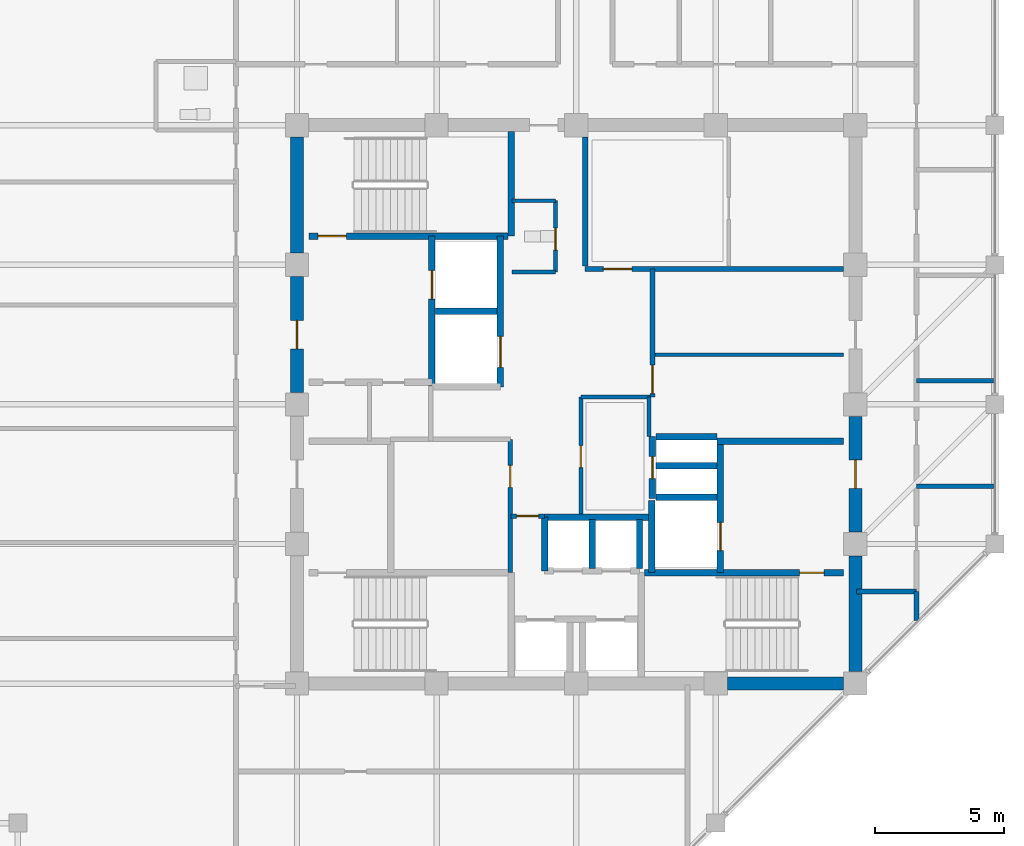
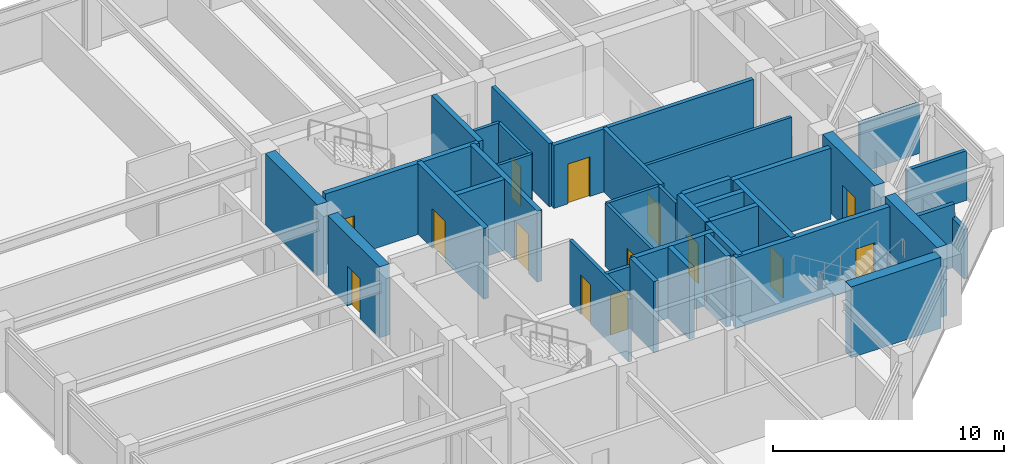
# One storey, part 27 of 31: 38 walls, 14 doors, 14 openings.
"""IFC4 building model written with IfcOpenShell, lengths in metres."""

from ifc_helpers import new_model, si_unit, direction, frame, frame_2d, origin, place, context, subcontext, project, spatial, rectangle, extrude, material, layer, layer_set, type_object, element, fill, save


model = new_model("IFC4")

# Units and contexts
model_context = context("Model", 3, precision=1e-05, world=origin(), true_north=direction((0.0, 1.0)))
body_context = subcontext(model_context, "Body", "Model", "MODEL_VIEW")
ifc_project = project(units=[si_unit("LENGTHUNIT", "METRE"), si_unit("AREAUNIT", "SQUARE_METRE"), si_unit("VOLUMEUNIT", "CUBIC_METRE"), si_unit("PLANEANGLEUNIT", "RADIAN"), si_unit("MASSUNIT", "GRAM", prefix="KILO")], contexts=[model_context])

# Site, building, storey
site_placement = place(None, origin())
site = spatial("IfcSite", under=ifc_project, at=site_placement, CompositionType="ELEMENT")
building_placement = place(site_placement, origin())
building = spatial("IfcBuilding", under=site, at=building_placement, Name="Surkhivell Harbour Commons", CompositionType="ELEMENT")
storey_placement = place(building_placement, frame((0.0, 0.0, 333.75)))
storey = spatial("IfcBuildingStorey", under=building, at=storey_placement, Name="L87", CompositionType="ELEMENT", Elevation=333.75)

# Wall
ifc_material_1 = material(Name="Concrete C50/60", Category="concrete")
ifc_layer_1 = layer(ifc_material_1, 0.5)
ifc_layer_set_1 = layer_set([ifc_layer_1], Name="Concrete C50/60")
wall_type_1 = type_object("IfcWallType", Name="WAL-CORE-500", PredefinedType="SHEAR", material=ifc_layer_set_1)
wall_1_placement = place(storey_placement, frame((10.800048828125, -10.340087890625, 0.0), z_axis=(0.0, 0.0, 1.0), x_axis=(0.0, 1.0, 0.0)))
element("IfcWall", 1, at=wall_1_placement, inside=storey, type_object=wall_type_1, Name="L87 Core Shear Wall East 1", PredefinedType="SHEAR", context=body_context, shape_type="SweptSolid", body=[
    extrude(rectangle(XDim=4.47998046875, YDim=0.5, at=frame_2d((2.239990234375, 0.0))), origin(), (0.0, 0.0, 1.0), 3.75),
])

# Wall, opening, door
wall_2_placement = place(storey_placement, frame((10.800048828125, -4.93994140625, 0.0), z_axis=(0.0, 0.0, 1.0), x_axis=(0.0, 1.0, 0.0)))
wall_2 = element("IfcWall", 2, at=wall_2_placement, inside=storey, type_object=wall_type_1, Name="L87 Core Shear Wall East 2", PredefinedType="SHEAR", context=body_context, shape_type="SweptSolid", body=[
    extrude(rectangle(XDim=4.47998046875, YDim=0.5, at=frame_2d((2.239990234375, 0.0))), origin(), (0.0, 0.0, 1.0), 3.75),
])
opening_1_placement = place(wall_2_placement, frame((1.68994140625, 0.0, 0.0)))
opening_1 = element("IfcOpeningElement", 3, at=opening_1_placement, cuts=wall_2, Name="Opening ID-1", PredefinedType="OPENING", context=body_context, shape_type="SweptSolid", body=[
    extrude(rectangle(XDim=1.10009765625, YDim=2.10009765625, at=frame_2d((0.550048828125, 1.050048828125))), frame((0.0, 0.260009765625, 0.0), z_axis=(0.0, -1.0, 0.0), x_axis=(1.0, 0.0, 0.0)), (0.0, 0.0, 1.0), 0.52001953125),
])
ifc_material_2 = material(Name="Hardwood-veneered fire-rated door leaf", Category="wood")
door_type_1 = type_object("IfcDoorType", Name="DOR-FD120-1100", OperationType="NOTDEFINED", PredefinedType="DOOR", material=ifc_material_2)
door_1_placement = place(opening_1_placement, origin())
door_1 = element("IfcDoor", 4, at=door_1_placement, inside=storey, type_object=door_type_1, Name="L87 Firefighting Lobby 2 Corridor Door", OperationType="SINGLE_SWING_RIGHT", OverallHeight=2.10009765625, OverallWidth=1.10009765625, PredefinedType="DOOR", context=body_context, shape_type="SweptSolid", body=[
    extrude(rectangle(XDim=1.10009765625, YDim=2.10009765625, at=frame_2d((0.550048828125, 1.050048828125))), frame((0.0, 0.02490234375, 0.0), z_axis=(0.0, -1.0, 0.0), x_axis=(1.0, 0.0, 0.0)), (0.0, 0.0, 1.0), 0.050048828125),
])
fill(opening_1, door_1)

wall_3_placement = place(storey_placement, frame((-10.800048828125, 0.4599609375, 0.0), z_axis=(0.0, 0.0, 1.0), x_axis=(0.0, 1.0, 0.0)))
wall_3 = element("IfcWall", 5, at=wall_3_placement, inside=storey, type_object=wall_type_1, Name="L87 Core Shear Wall West 3", PredefinedType="SHEAR", context=body_context, shape_type="SweptSolid", body=[
    extrude(rectangle(XDim=4.47998046875, YDim=0.5, at=frame_2d((2.239990234375, 0.0))), origin(), (0.0, 0.0, 1.0), 3.75),
])
opening_2_placement = place(wall_3_placement, frame((1.68994140625, 0.0, 0.0)))
opening_2 = element("IfcOpeningElement", 6, at=opening_2_placement, cuts=wall_3, Name="Opening ID-1", PredefinedType="OPENING", context=body_context, shape_type="SweptSolid", body=[
    extrude(rectangle(XDim=1.10009765625, YDim=2.10009765625, at=frame_2d((0.550048828125, 1.050048828125))), frame((0.0, 0.260009765625, 0.0), z_axis=(0.0, -1.0, 0.0), x_axis=(1.0, 0.0, 0.0)), (0.0, 0.0, 1.0), 0.52001953125),
])
door_2_placement = place(opening_2_placement, origin())
door_2 = element("IfcDoor", 7, at=door_2_placement, inside=storey, type_object=door_type_1, Name="L87 Firefighting Lobby 1 Corridor Door", OperationType="SINGLE_SWING_LEFT", OverallHeight=2.10009765625, OverallWidth=1.10009765625, PredefinedType="DOOR", context=body_context, shape_type="SweptSolid", body=[
    extrude(rectangle(XDim=1.10009765625, YDim=2.10009765625, at=frame_2d((0.550048828125, 1.050048828125))), frame((0.0, 0.02490234375, 0.0), z_axis=(0.0, -1.0, 0.0), x_axis=(1.0, 0.0, 0.0)), (0.0, 0.0, 1.0), 0.050048828125),
])
fill(opening_2, door_2)

# Walls
for number, where, z_axis, x_axis, name in (
    (8, (5.860107421875, -10.800048828125, 0.0), (0.0, 0.0, 1.0), (1.0, 0.0, 0.0), "L87 Core Shear Wall South 4"),
    (9, (-10.800048828125, 5.860107421875, 0.0), (0.0, 0.0, 1.0), (0.0, 1.0, 0.0), "L87 Core Shear Wall West 4"),
):
    element("IfcWall", number, at=place(storey_placement, frame(where, z_axis=z_axis, x_axis=x_axis)), inside=storey, type_object=wall_type_1, Name=name, PredefinedType="SHEAR", context=body_context, shape_type="SweptSolid", body=[
        extrude(rectangle(XDim=4.47998046875, YDim=0.5, at=frame_2d((2.239990234375, 0.0))), origin(), (0.0, 0.0, 1.0), 3.75),
    ])

# Wall, opening, door
ifc_material_3 = material(Name="Twin-stud acoustic fireboard partition", Category="other")
ifc_layer_2 = layer(ifc_material_3, 0.14990234375)
ifc_layer_set_2 = layer_set([ifc_layer_2], Name="Twin-stud acoustic fireboard partition")
wall_type_2 = type_object("IfcWallType", Name="WAL-INT-150", PredefinedType="PARTITIONING", material=ifc_layer_set_2)
wall_4_placement = place(storey_placement, frame((-0.800048828125, 5.1201171875, 0.0), z_axis=(0.0, 0.0, 1.0), x_axis=(0.0, 1.0, 0.0)))
wall_4 = element("IfcWall", 10, at=wall_4_placement, inside=storey, type_object=wall_type_2, Name="L87 Core Accessible WC East Wall", PredefinedType="PARTITIONING", context=body_context, shape_type="SweptSolid", body=[
    extrude(rectangle(XDim=2.759765625, YDim=0.14990234375, at=frame_2d((1.3798828125, 0.0))), origin(), (0.0, 0.0, 1.0), 3.330078125),
])
opening_3_placement = place(wall_4_placement, frame((0.85009765625, 0.0, 0.0)))
opening_3 = element("IfcOpeningElement", 11, at=opening_3_placement, cuts=wall_4, Name="Opening ID-6", PredefinedType="OPENING", context=body_context, shape_type="SweptSolid", body=[
    extrude(rectangle(XDim=0.85009765625, YDim=2.10009765625, at=frame_2d((0.425048828125, 1.050048828125))), frame((0.0, 0.0849609375, 0.0), z_axis=(0.0, -1.0, 0.0), x_axis=(1.0, 0.0, 0.0)), (0.0, 0.0, 1.0), 0.169921875),
])
door_type_2 = type_object("IfcDoorType", Name="DOR-FD30-850", OperationType="NOTDEFINED", PredefinedType="DOOR", material=ifc_material_2)
door_3_placement = place(opening_3_placement, origin())
door_3 = element("IfcDoor", 12, at=door_3_placement, inside=storey, type_object=door_type_2, Name="L87 Floor Accessible WC Door", OperationType="SINGLE_SWING_LEFT", OverallHeight=2.10009765625, OverallWidth=0.85009765625, PredefinedType="DOOR", context=body_context, shape_type="SweptSolid", body=[
    extrude(rectangle(XDim=0.85009765625, YDim=2.10009765625, at=frame_2d((0.425048828125, 1.050048828125))), frame((0.0, 0.02490234375, 0.0), z_axis=(0.0, -1.0, 0.0), x_axis=(1.0, 0.0, 0.0)), (0.0, 0.0, 1.0), 0.050048828125),
])
fill(opening_3, door_3)

# Walls
for number, where, z_axis, x_axis, name in (
    (13, (-2.47998046875, 7.8798828125, 0.0), (0.0, 0.0, 1.0), (1.0, 0.0, 0.0), "L87 Core Accessible WC North Wall"),
    (14, (-2.47998046875, 5.1201171875, 0.0), (0.0, 0.0, 1.0), (1.0, 0.0, 0.0), "L87 Core Accessible WC South Wall"),
):
    element("IfcWall", number, at=place(storey_placement, frame(where, z_axis=z_axis, x_axis=x_axis)), inside=storey, type_object=wall_type_2, Name=name, PredefinedType="PARTITIONING", context=body_context, shape_type="SweptSolid", body=[
        extrude(rectangle(XDim=1.679931640625, YDim=0.14990234375, at=frame_2d((0.83984375, 0.0))), origin(), (0.0, 0.0, 1.0), 3.330078125),
    ])
wall_5_placement = place(storey_placement, frame((2.820068359375, -1.25, 0.0), z_axis=(0.0, 0.0, 1.0), x_axis=(0.0, 1.0, 0.0)))
element("IfcWall", 15, at=wall_5_placement, inside=storey, type_object=wall_type_2, Name="L87 Central Music East Wall", PredefinedType="PARTITIONING", context=body_context, shape_type="SweptSolid", body=[
    extrude(rectangle(XDim=1.530029296875, YDim=0.14990234375, at=frame_2d((0.76513671875, 0.0))), origin(), (0.0, 0.0, 1.0), 3.330078125),
])
wall_6_placement = place(storey_placement, frame((0.179931640625, 0.280029296875, 0.0), z_axis=(0.0, 0.0, 1.0), x_axis=(1.0, 0.0, 0.0)))
element("IfcWall", 16, at=wall_6_placement, inside=storey, type_object=wall_type_2, Name="L87 Central Music North Wall", PredefinedType="PARTITIONING", context=body_context, shape_type="SweptSolid", body=[
    extrude(rectangle(XDim=2.670166015625, YDim=0.14990234375, at=frame_2d((1.3349609375, 0.0))), origin(), (0.0, 0.0, 1.0), 3.330078125),
])

# Wall, opening, door
wall_7_placement = place(storey_placement, frame((0.179931640625, -4.25, 0.0), z_axis=(0.0, 0.0, 1.0), x_axis=(0.0, 1.0, 0.0)))
wall_7 = element("IfcWall", 17, at=wall_7_placement, inside=storey, type_object=wall_type_2, Name="L87 Central Music West Wall", PredefinedType="PARTITIONING", context=body_context, shape_type="SweptSolid", body=[
    extrude(rectangle(XDim=4.530029296875, YDim=0.14990234375, at=frame_2d((2.26513671875, 0.0))), origin(), (0.0, 0.0, 1.0), 3.330078125),
])
opening_4_placement = place(wall_7_placement, frame((1.800048828125, 0.0, 0.0)))
opening_4 = element("IfcOpeningElement", 18, at=opening_4_placement, cuts=wall_7, Name="Opening ID-6", PredefinedType="OPENING", context=body_context, shape_type="SweptSolid", body=[
    extrude(rectangle(XDim=0.85009765625, YDim=2.10009765625, at=frame_2d((0.425048828125, 1.050048828125))), frame((0.0, 0.0849609375, 0.0), z_axis=(0.0, -1.0, 0.0), x_axis=(1.0, 0.0, 0.0)), (0.0, 0.0, 1.0), 0.169921875),
])
door_4_placement = place(opening_4_placement, origin())
door_4 = element("IfcDoor", 19, at=door_4_placement, inside=storey, type_object=door_type_2, Name="L87 Central Music Door", OperationType="SINGLE_SWING_RIGHT", OverallHeight=2.10009765625, OverallWidth=0.85009765625, PredefinedType="DOOR", context=body_context, shape_type="SweptSolid", body=[
    extrude(rectangle(XDim=0.85009765625, YDim=2.10009765625, at=frame_2d((0.425048828125, 1.050048828125))), frame((0.0, 0.02490234375, 0.0), z_axis=(0.0, -1.0, 0.0), x_axis=(1.0, 0.0, 0.0)), (0.0, 0.0, 1.0), 0.050048828125),
])
fill(opening_4, door_4)

# Wall
wall_8_placement = place(storey_placement, frame((2.949951171875, 1.919921875, 0.0), z_axis=(0.0, 0.0, 1.0), x_axis=(1.0, 0.0, 0.0)))
element("IfcWall", 20, at=wall_8_placement, inside=storey, type_object=wall_type_2, Name="L87 Quiet Study Wall", PredefinedType="PARTITIONING", context=body_context, shape_type="SweptSolid", body=[
    extrude(rectangle(XDim=7.39013671875, YDim=0.14990234375, at=frame_2d((3.695068359375, 0.0))), origin(), (0.0, 0.0, 1.0), 3.330078125),
])

# Wall, opening, door
ifc_material_4 = material(Name="High-density acoustic blockwork fire partition", Category="masonry")
ifc_layer_3 = layer(ifc_material_4, 0.175048828125)
ifc_layer_set_3 = layer_set([ifc_layer_3], Name="High-density acoustic blockwork fire partition")
wall_type_3 = type_object("IfcWallType", Name="WAL-INT-175", PredefinedType="PARTITIONING", material=ifc_layer_set_3)
wall_9_placement = place(storey_placement, frame((-2.550048828125, -6.510009765625, 0.0), z_axis=(0.0, 0.0, 1.0), x_axis=(0.0, 1.0, 0.0)))
wall_9 = element("IfcWall", 21, at=wall_9_placement, inside=storey, type_object=wall_type_3, Name="L87 Core Service Bay East Wall", PredefinedType="PARTITIONING", context=body_context, shape_type="SweptSolid", body=[
    extrude(rectangle(XDim=5.159912109375, YDim=0.175048828125, at=frame_2d((2.580078125, 0.0))), origin(), (0.0, 0.0, 1.0), 3.330078125),
])
opening_5_placement = place(wall_9_placement, frame((3.300048828125, 0.0, 0.0)))
opening_5 = element("IfcOpeningElement", 22, at=opening_5_placement, cuts=wall_9, Name="Opening ID-6", PredefinedType="OPENING", context=body_context, shape_type="SweptSolid", body=[
    extrude(rectangle(XDim=0.85009765625, YDim=2.10009765625, at=frame_2d((0.425048828125, 1.050048828125))), frame((0.0, 0.097412109375, 0.0), z_axis=(0.0, -1.0, 0.0), x_axis=(1.0, 0.0, 0.0)), (0.0, 0.0, 1.0), 0.195068359375),
])
door_5_placement = place(opening_5_placement, origin())
door_5 = element("IfcDoor", 23, at=door_5_placement, inside=storey, type_object=door_type_2, Name="L87 Core Quiet Reading Door", OperationType="SINGLE_SWING_RIGHT", OverallHeight=2.10009765625, OverallWidth=0.85009765625, PredefinedType="DOOR", context=body_context, shape_type="SweptSolid", body=[
    extrude(rectangle(XDim=0.85009765625, YDim=2.10009765625, at=frame_2d((0.425048828125, 1.050048828125))), frame((0.0, 0.02490234375, 0.0), z_axis=(0.0, -1.0, 0.0), x_axis=(1.0, 0.0, 0.0)), (0.0, 0.0, 1.0), 0.050048828125),
])
fill(opening_5, door_5)

wall_10_placement = place(storey_placement, frame((-2.52001953125, -4.320068359375, 0.0), z_axis=(0.0, 0.0, 1.0), x_axis=(1.0, 0.0, 0.0)))
wall_10 = element("IfcWall", 24, at=wall_10_placement, inside=storey, type_object=wall_type_3, Name="L87 High-Rise Lobby North Portal Wall", PredefinedType="PARTITIONING", context=body_context, shape_type="SweptSolid", body=[
    extrude(rectangle(XDim=1.300048828125, YDim=0.175048828125, at=frame_2d((0.64990234375, 0.0))), origin(), (0.0, 0.0, 1.0), 3.330078125),
])
opening_6_placement = place(wall_10_placement, frame((0.219970703125, 0.0, 0.0)))
opening_6 = element("IfcOpeningElement", 25, at=opening_6_placement, cuts=wall_10, Name="Opening ID-6", PredefinedType="OPENING", context=body_context, shape_type="SweptSolid", body=[
    extrude(rectangle(XDim=0.85009765625, YDim=2.10009765625, at=frame_2d((0.425048828125, 1.050048828125))), frame((0.0, 0.097412109375, 0.0), z_axis=(0.0, -1.0, 0.0), x_axis=(1.0, 0.0, 0.0)), (0.0, 0.0, 1.0), 0.195068359375),
])
door_6_placement = place(opening_6_placement, origin())
door_6 = element("IfcDoor", 26, at=door_6_placement, inside=storey, type_object=door_type_2, Name="L87 High-Rise Lift Lobby North Door", OperationType="SINGLE_SWING_LEFT", OverallHeight=2.10009765625, OverallWidth=0.85009765625, PredefinedType="DOOR", context=body_context, shape_type="SweptSolid", body=[
    extrude(rectangle(XDim=0.85009765625, YDim=2.10009765625, at=frame_2d((0.425048828125, 1.050048828125))), frame((0.0, 0.02490234375, 0.0), z_axis=(0.0, -1.0, 0.0), x_axis=(1.0, 0.0, 0.0)), (0.0, 0.0, 1.0), 0.050048828125),
])
fill(opening_6, door_6)

# Walls
for number, where, z_axis, x_axis, name in (
    (27, (13.159912109375, -3.159912109375, 0.0), (0.0, 0.0, 1.0), (1.0, 0.0, 0.0), "L87 East Partition P1"),
    (28, (13.159912109375, 0.919921875, 0.0), (0.0, 0.0, 1.0), (1.0, 0.0, 0.0), "L87 East Partition P2"),
):
    element("IfcWall", number, at=place(storey_placement, frame(where, z_axis=z_axis, x_axis=x_axis)), inside=storey, type_object=wall_type_3, Name=name, PredefinedType="PARTITIONING", context=body_context, shape_type="SweptSolid", body=[
        extrude(rectangle(XDim=2.97998046875, YDim=0.175048828125, at=frame_2d((1.489990234375, 0.0))), origin(), (0.0, 0.0, 1.0), 2.616943359375),
    ])

# Wall, opening, door
ifc_material_5 = material(Name="Autoclaved aerated concrete blockwork and fire plaster", Category="masonry")
ifc_layer_4 = layer(ifc_material_5, 0.199951171875)
ifc_layer_set_4 = layer_set([ifc_layer_4], Name="Autoclaved aerated concrete blockwork and fire plaster")
wall_type_4 = type_object("IfcWallType", Name="WAL-INT-200", PredefinedType="PARTITIONING", material=ifc_layer_set_4)
wall_11_placement = place(storey_placement, frame((0.35009765625, 5.239990234375, 0.0), z_axis=(0.0, 0.0, 1.0), x_axis=(1.0, 0.0, 0.0)))
wall_11 = element("IfcWall", 29, at=wall_11_placement, inside=storey, type_object=wall_type_4, Name="L87 Reclaimed Core North Bay South Wall", PredefinedType="PARTITIONING", context=body_context, shape_type="SweptSolid", body=[
    extrude(rectangle(XDim=9.989990234375, YDim=0.199951171875, at=frame_2d((4.9951171875, 0.0))), origin(), (0.0, 0.0, 1.0), 3.330078125),
])
opening_7_placement = place(wall_11_placement, frame((0.699951171875, 0.0, 0.0)))
opening_7 = element("IfcOpeningElement", 30, at=opening_7_placement, cuts=wall_11, Name="Opening ID-2", PredefinedType="OPENING", context=body_context, shape_type="SweptSolid", body=[
    extrude(rectangle(XDim=1.10009765625, YDim=2.10009765625, at=frame_2d((0.550048828125, 1.050048828125))), frame((0.0, 0.10986328125, 0.0), z_axis=(0.0, -1.0, 0.0), x_axis=(1.0, 0.0, 0.0)), (0.0, 0.0, 1.0), 0.219970703125),
])
door_type_3 = type_object("IfcDoorType", Name="DOR-FD60-1100", OperationType="NOTDEFINED", PredefinedType="DOOR", material=ifc_material_2)
door_7_placement = place(opening_7_placement, origin())
door_7 = element("IfcDoor", 31, at=door_7_placement, inside=storey, type_object=door_type_3, Name="L87 Core Seminar Door", OperationType="SINGLE_SWING_LEFT", OverallHeight=2.10009765625, OverallWidth=1.10009765625, PredefinedType="DOOR", context=body_context, shape_type="SweptSolid", body=[
    extrude(rectangle(XDim=1.10009765625, YDim=2.10009765625, at=frame_2d((0.550048828125, 1.050048828125))), frame((0.0, 0.02490234375, 0.0), z_axis=(0.0, -1.0, 0.0), x_axis=(1.0, 0.0, 0.0)), (0.0, 0.0, 1.0), 0.050048828125),
])
fill(opening_7, door_7)

# Walls
wall_12_placement = place(storey_placement, frame((0.35009765625, 5.360107421875, 0.0), z_axis=(0.0, 0.0, 1.0), x_axis=(0.0, 1.0, 0.0)))
element("IfcWall", 32, at=wall_12_placement, inside=storey, type_object=wall_type_4, Name="L87 Reclaimed Core North Bay West Wall", PredefinedType="PARTITIONING", context=body_context, shape_type="SweptSolid", body=[
    extrude(rectangle(XDim=4.97998046875, YDim=0.199951171875, at=frame_2d((2.489990234375, 0.0))), origin(), (0.0, 0.0, 1.0), 3.330078125),
])
wall_13_placement = place(storey_placement, frame((13.159912109375, -8.355224609375, 0.0), z_axis=(0.0, 0.0, 1.0), x_axis=(0.0, 1.0, 0.0)))
element("IfcWall", 33, at=wall_13_placement, inside=storey, type_object=wall_type_4, Name="L87 East Wing South Closure Wall", PredefinedType="PARTITIONING", context=body_context, shape_type="SweptSolid", body=[
    extrude(rectangle(XDim=1.115234375, YDim=0.199951171875, at=frame_2d((0.5576171875, 0.0))), origin(), (0.0, 0.0, 1.0), 2.616943359375),
])
wall_14_placement = place(storey_placement, frame((10.85009765625, -7.239990234375, 0.0), z_axis=(0.0, 0.0, 1.0), x_axis=(1.0, 0.0, 0.0)))
element("IfcWall", 34, at=wall_14_placement, inside=storey, type_object=wall_type_4, Name="L87 East Corridor South Closure Wall", PredefinedType="PARTITIONING", context=body_context, shape_type="SweptSolid", body=[
    extrude(rectangle(XDim=2.309814453125, YDim=0.199951171875, at=frame_2d((1.15478515625, 0.0))), origin(), (0.0, 0.0, 1.0), 3.330078125),
])

# Wall, opening, door
wall_15_placement = place(storey_placement, frame((2.949951171875, 0.280029296875, 0.0), z_axis=(0.0, 0.0, 1.0), x_axis=(0.0, 1.0, 0.0)))
wall_15 = element("IfcWall", 35, at=wall_15_placement, inside=storey, type_object=wall_type_4, Name="L87 Reclaimed East Core West Wall", PredefinedType="PARTITIONING", context=body_context, shape_type="SweptSolid", body=[
    extrude(rectangle(XDim=4.9599609375, YDim=0.199951171875, at=frame_2d((2.47998046875, 0.0))), origin(), (0.0, 0.0, 1.0), 3.330078125),
])
opening_8_placement = place(wall_15_placement, frame((0.139892578125, 0.0, 0.0)))
opening_8 = element("IfcOpeningElement", 36, at=opening_8_placement, cuts=wall_15, Name="Opening ID-2", PredefinedType="OPENING", context=body_context, shape_type="SweptSolid", body=[
    extrude(rectangle(XDim=1.10009765625, YDim=2.10009765625, at=frame_2d((0.550048828125, 1.050048828125))), frame((0.0, 0.10986328125, 0.0), z_axis=(0.0, -1.0, 0.0), x_axis=(1.0, 0.0, 0.0)), (0.0, 0.0, 1.0), 0.219970703125),
])
door_8_placement = place(opening_8_placement, origin())
door_8 = element("IfcDoor", 37, at=door_8_placement, inside=storey, type_object=door_type_3, Name="L87 Quiet Study A Door", OperationType="SINGLE_SWING_LEFT", OverallHeight=2.10009765625, OverallWidth=1.10009765625, PredefinedType="DOOR", context=body_context, shape_type="SweptSolid", body=[
    extrude(rectangle(XDim=1.10009765625, YDim=2.10009765625, at=frame_2d((0.550048828125, 1.050048828125))), frame((0.0, 0.02490234375, 0.0), z_axis=(0.0, -1.0, 0.0), x_axis=(1.0, 0.0, 0.0)), (0.0, 0.0, 1.0), 0.050048828125),
])
fill(opening_8, door_8)

ifc_layer_5 = layer(ifc_material_1, 0.25)
ifc_layer_set_5 = layer_set([ifc_layer_5], Name="Concrete C50/60")
wall_type_5 = type_object("IfcWallType", Name="WAL-SHAFT-250", PredefinedType="SHEAR", material=ifc_layer_set_5)
wall_16_placement = place(storey_placement, frame((-5.580078125, 0.719970703125, 0.0), z_axis=(0.0, 0.0, 1.0), x_axis=(0.0, 1.0, 0.0)))
wall_16 = element("IfcWall", 38, at=wall_16_placement, inside=storey, type_object=wall_type_5, Name="L87 Firefighting Lobby 1 East Shaft Wall", PredefinedType="SHEAR", context=body_context, shape_type="SweptSolid", body=[
    extrude(rectangle(XDim=5.7900390625, YDim=0.25, at=frame_2d((2.89501953125, 0.0))), origin(), (0.0, 0.0, 1.0), 3.75),
])
opening_9_placement = place(wall_16_placement, frame((3.35009765625, 0.0, 0.0)))
opening_9 = element("IfcOpeningElement", 39, at=opening_9_placement, cuts=wall_16, Name="Opening LD-1", PredefinedType="OPENING", context=body_context, shape_type="SweptSolid", body=[
    extrude(rectangle(XDim=1.10009765625, YDim=2.10009765625, at=frame_2d((0.550048828125, 1.050048828125))), frame((0.0, 0.135009765625, 0.0), z_axis=(0.0, -1.0, 0.0), x_axis=(1.0, 0.0, 0.0)), (0.0, 0.0, 1.0), 0.27001953125),
])
ifc_material_6 = material(Name="Brushed stainless steel S355", Category="steel")
door_type_4 = type_object("IfcDoorType", Name="DOR-LD-1100", OperationType="SLIDING_TO_LEFT", PredefinedType="DOOR", material=ifc_material_6)
door_9_placement = place(opening_9_placement, origin())
door_9 = element("IfcDoor", 40, at=door_9_placement, inside=storey, type_object=door_type_4, Name="L87 Lift Landing Door LD-FFL1", OperationType="SLIDING_TO_LEFT", OverallHeight=2.10009765625, OverallWidth=1.10009765625, PredefinedType="DOOR", context=body_context, shape_type="SweptSolid", body=[
    extrude(rectangle(XDim=1.10009765625, YDim=2.10009765625, at=frame_2d((0.550048828125, 1.050048828125))), frame((0.0, 0.02490234375, 0.0), z_axis=(0.0, -1.0, 0.0), x_axis=(1.0, 0.0, 0.0)), (0.0, 0.0, 1.0), 0.050048828125),
])
fill(opening_9, door_9)

# Walls
wall_17_placement = place(storey_placement, frame((2.929931640625, -6.510009765625, 0.0), z_axis=(0.0, 0.0, 1.0), x_axis=(0.0, 1.0, 0.0)))
element("IfcWall", 41, at=wall_17_placement, inside=storey, type_object=wall_type_5, Name="L87 FFL2 West Shaft Wall", PredefinedType="SHEAR", context=body_context, shape_type="SweptSolid", body=[
    extrude(rectangle(XDim=2.7900390625, YDim=0.25, at=frame_2d((1.39501953125, 0.0))), origin(), (0.0, 0.0, 1.0), 3.75),
])
wall_18_placement = place(storey_placement, frame((5.43994140625, -1.419921875, 0.0), z_axis=(0.0, 0.0, 1.0), x_axis=(1.0, 0.0, 0.0)))
element("IfcWall", 42, at=wall_18_placement, inside=storey, type_object=wall_type_5, Name="L87 Firefighting Lobby 2 North Wall", PredefinedType="SHEAR", context=body_context, shape_type="SweptSolid", body=[
    extrude(rectangle(XDim=4.900146484375, YDim=0.25, at=frame_2d((2.4501953125, 0.0))), origin(), (0.0, 0.0, 1.0), 3.75),
])
wall_19_placement = place(storey_placement, frame((3.080078125, -3.60009765625, 0.0), z_axis=(0.0, 0.0, 1.0), x_axis=(1.0, 0.0, 0.0)))
element("IfcWall", 43, at=wall_19_placement, inside=storey, type_object=wall_type_5, Name="L87 FFL2 North Shaft Wall", PredefinedType="SHEAR", context=body_context, shape_type="SweptSolid", body=[
    extrude(rectangle(XDim=2.369873046875, YDim=0.25, at=frame_2d((1.18505859375, 0.0))), origin(), (0.0, 0.0, 1.0), 3.75),
])

# Wall, opening, door
wall_20_placement = place(storey_placement, frame((5.580078125, -6.510009765625, 0.0), z_axis=(0.0, 0.0, 1.0), x_axis=(0.0, 1.0, 0.0)))
wall_20 = element("IfcWall", 44, at=wall_20_placement, inside=storey, type_object=wall_type_5, Name="L87 Firefighting Lobby 2 West Shaft Wall", PredefinedType="SHEAR", context=body_context, shape_type="SweptSolid", body=[
    extrude(rectangle(XDim=5.090087890625, YDim=0.25, at=frame_2d((2.544921875, 0.0))), origin(), (0.0, 0.0, 1.0), 3.75),
])
opening_10_placement = place(wall_20_placement, frame((0.85009765625, 0.0, 0.0)))
opening_10 = element("IfcOpeningElement", 45, at=opening_10_placement, cuts=wall_20, Name="Opening LD-1", PredefinedType="OPENING", context=body_context, shape_type="SweptSolid", body=[
    extrude(rectangle(XDim=1.10009765625, YDim=2.10009765625, at=frame_2d((0.550048828125, 1.050048828125))), frame((0.0, 0.135009765625, 0.0), z_axis=(0.0, -1.0, 0.0), x_axis=(1.0, 0.0, 0.0)), (0.0, 0.0, 1.0), 0.27001953125),
])
door_10_placement = place(opening_10_placement, origin())
door_10 = element("IfcDoor", 46, at=door_10_placement, inside=storey, type_object=door_type_4, Name="L87 Lift Landing Door LD-FFL2", OperationType="SLIDING_TO_RIGHT", OverallHeight=2.10009765625, OverallWidth=1.10009765625, PredefinedType="DOOR", context=body_context, shape_type="SweptSolid", body=[
    extrude(rectangle(XDim=1.10009765625, YDim=2.10009765625, at=frame_2d((0.550048828125, 1.050048828125))), frame((0.0, 0.02490234375, 0.0), z_axis=(0.0, -1.0, 0.0), x_axis=(1.0, 0.0, 0.0)), (0.0, 0.0, 1.0), 0.050048828125),
])
fill(opening_10, door_10)

# Walls
for number, where, z_axis, x_axis, name in (
    (47, (0.6201171875, -6.340087890625, 0.0), (0.0, 0.0, 1.0), (0.0, 1.0, 0.0), "L87 High-Rise Side Wall N"),
    (48, (2.449951171875, -6.340087890625, 0.0), (0.0, 0.0, 1.0), (0.0, 1.0, 0.0), "L87 High-Rise Side Wall N"),
):
    element("IfcWall", number, at=place(storey_placement, frame(where, z_axis=z_axis, x_axis=x_axis)), inside=storey, type_object=wall_type_5, Name=name, PredefinedType="SHEAR", context=body_context, shape_type="SweptSolid", body=[
        extrude(rectangle(XDim=1.880126953125, YDim=0.25, at=frame_2d((0.93994140625, 0.0))), origin(), (0.0, 0.0, 1.0), 3.75),
    ])
wall_21_placement = place(storey_placement, frame((-1.219970703125, -6.43994140625, 0.0), z_axis=(0.0, 0.0, 1.0), x_axis=(0.0, 1.0, 0.0)))
element("IfcWall", 49, at=wall_21_placement, inside=storey, type_object=wall_type_5, Name="L87 High-Rise Passage East Shaft Wall", PredefinedType="SHEAR", context=body_context, shape_type="SweptSolid", body=[
    extrude(rectangle(XDim=2.079833984375, YDim=0.25, at=frame_2d((1.0400390625, 0.0))), origin(), (0.0, 0.0, 1.0), 3.75),
])
wall_22_placement = place(storey_placement, frame((-1.219970703125, -4.360107421875, 0.0), z_axis=(0.0, 0.0, 1.0), x_axis=(1.0, 0.0, 0.0)))
element("IfcWall", 50, at=wall_22_placement, inside=storey, type_object=wall_type_5, Name="L87 High-Rise North Back Shaft Wall", PredefinedType="SHEAR", context=body_context, shape_type="SweptSolid", body=[
    extrude(rectangle(XDim=4.030029296875, YDim=0.25, at=frame_2d((2.01513671875, 0.0))), origin(), (0.0, 0.0, 1.0), 3.75),
])
for number, where, z_axis, x_axis, name in (
    (51, (3.080078125, -2.3798828125, 0.0), (0.0, 0.0, 1.0), (1.0, 0.0, 0.0), "L87 Riser Divider Wall"),
    (52, (3.080078125, -1.25, 0.0), (0.0, 0.0, 1.0), (1.0, 0.0, 0.0), "L87 Riser North Wall"),
):
    element("IfcWall", number, at=place(storey_placement, frame(where, z_axis=z_axis, x_axis=x_axis)), inside=storey, type_object=wall_type_5, Name=name, PredefinedType="SHEAR", context=body_context, shape_type="SweptSolid", body=[
        extrude(rectangle(XDim=2.369873046875, YDim=0.25, at=frame_2d((1.18505859375, 0.0))), origin(), (0.0, 0.0, 1.0), 3.75),
    ])

# Wall, opening, door
wall_23_placement = place(storey_placement, frame((2.949951171875, -3.64990234375, 0.0), z_axis=(0.0, 0.0, 1.0), x_axis=(0.0, 1.0, 0.0)))
wall_23 = element("IfcWall", 53, at=wall_23_placement, inside=storey, type_object=wall_type_5, Name="L87 Riser Shaft West Wall", PredefinedType="SHEAR", context=body_context, shape_type="SweptSolid", body=[
    extrude(rectangle(XDim=2.39990234375, YDim=0.25, at=frame_2d((1.199951171875, 0.0))), origin(), (0.0, 0.0, 1.0), 3.75),
])
opening_11_placement = place(wall_23_placement, frame((0.77490234375, 0.0, 0.0)))
opening_11 = element("IfcOpeningElement", 54, at=opening_11_placement, cuts=wall_23, Name="Opening ID-6", PredefinedType="OPENING", context=body_context, shape_type="SweptSolid", body=[
    extrude(rectangle(XDim=0.85009765625, YDim=2.10009765625, at=frame_2d((0.425048828125, 1.050048828125))), frame((0.0, 0.135009765625, 0.0), z_axis=(0.0, -1.0, 0.0), x_axis=(1.0, 0.0, 0.0)), (0.0, 0.0, 1.0), 0.27001953125),
])
door_11_placement = place(opening_11_placement, origin())
door_11 = element("IfcDoor", 55, at=door_11_placement, inside=storey, type_object=door_type_2, Name="L87 Electrical Riser Access Door", OperationType="SINGLE_SWING_LEFT", OverallHeight=2.10009765625, OverallWidth=0.85009765625, PredefinedType="DOOR", context=body_context, shape_type="SweptSolid", body=[
    extrude(rectangle(XDim=0.85009765625, YDim=2.10009765625, at=frame_2d((0.425048828125, 1.050048828125))), frame((0.0, 0.02490234375, 0.0), z_axis=(0.0, -1.0, 0.0), x_axis=(1.0, 0.0, 0.0)), (0.0, 0.0, 1.0), 0.050048828125),
])
fill(opening_11, door_11)

# Wall
wall_24_placement = place(storey_placement, frame((-2.510009765625, 6.510009765625, 0.0), z_axis=(0.0, 0.0, 1.0), x_axis=(0.0, 1.0, 0.0)))
element("IfcWall", 56, at=wall_24_placement, inside=storey, type_object=wall_type_5, Name="L87 Stair ST1 East Shear Wall", PredefinedType="SHEAR", context=body_context, shape_type="SweptSolid", body=[
    extrude(rectangle(XDim=4.0400390625, YDim=0.25, at=frame_2d((2.02001953125, 0.0))), origin(), (0.0, 0.0, 1.0), 3.75),
])

# Wall, opening, door
wall_25_placement = place(storey_placement, frame((-10.340087890625, 6.510009765625, 0.0), z_axis=(0.0, 0.0, 1.0), x_axis=(1.0, 0.0, 0.0)))
wall_25 = element("IfcWall", 57, at=wall_25_placement, inside=storey, type_object=wall_type_5, Name="L87 Stair ST1 South Shear Wall", PredefinedType="SHEAR", context=body_context, shape_type="SweptSolid", body=[
    extrude(rectangle(XDim=7.7001953125, YDim=0.25, at=frame_2d((3.85009765625, 0.0))), origin(), (0.0, 0.0, 1.0), 3.75),
])
opening_12_placement = place(wall_25_placement, frame((0.35009765625, 0.0, 0.0)))
opening_12 = element("IfcOpeningElement", 58, at=opening_12_placement, cuts=wall_25, Name="Opening ID-2", PredefinedType="OPENING", context=body_context, shape_type="SweptSolid", body=[
    extrude(rectangle(XDim=1.10009765625, YDim=2.10009765625, at=frame_2d((0.550048828125, 1.050048828125))), frame((0.0, 0.135009765625, 0.0), z_axis=(0.0, -1.0, 0.0), x_axis=(1.0, 0.0, 0.0)), (0.0, 0.0, 1.0), 0.27001953125),
])
door_12_placement = place(opening_12_placement, origin())
door_12 = element("IfcDoor", 59, at=door_12_placement, inside=storey, type_object=door_type_3, Name="L87 Stair ST1 Exit Door", OperationType="SINGLE_SWING_LEFT", OverallHeight=2.10009765625, OverallWidth=1.10009765625, PredefinedType="DOOR", context=body_context, shape_type="SweptSolid", body=[
    extrude(rectangle(XDim=1.10009765625, YDim=2.10009765625, at=frame_2d((0.550048828125, 1.050048828125))), frame((0.0, 0.02490234375, 0.0), z_axis=(0.0, -1.0, 0.0), x_axis=(1.0, 0.0, 0.0)), (0.0, 0.0, 1.0), 0.050048828125),
])
fill(opening_12, door_12)

wall_26_placement = place(storey_placement, frame((2.639892578125, -6.510009765625, 0.0), z_axis=(0.0, 0.0, 1.0), x_axis=(1.0, 0.0, 0.0)))
wall_26 = element("IfcWall", 60, at=wall_26_placement, inside=storey, type_object=wall_type_5, Name="L87 Stair ST2 North Shear Wall", PredefinedType="SHEAR", context=body_context, shape_type="SweptSolid", body=[
    extrude(rectangle(XDim=7.7001953125, YDim=0.25, at=frame_2d((3.85009765625, 0.0))), origin(), (0.0, 0.0, 1.0), 3.75),
])
opening_13_placement = place(wall_26_placement, frame((6.0, 0.0, 0.0)))
opening_13 = element("IfcOpeningElement", 61, at=opening_13_placement, cuts=wall_26, Name="Opening ID-4", PredefinedType="OPENING", context=body_context, shape_type="SweptSolid", body=[
    extrude(rectangle(XDim=0.949951171875, YDim=2.10009765625, at=frame_2d((0.47509765625, 1.050048828125))), frame((0.0, 0.135009765625, 0.0), z_axis=(0.0, -1.0, 0.0), x_axis=(1.0, 0.0, 0.0)), (0.0, 0.0, 1.0), 0.27001953125),
])
door_type_5 = type_object("IfcDoorType", Name="DOR-FD60-950", OperationType="NOTDEFINED", PredefinedType="DOOR", material=ifc_material_2)
door_13_placement = place(opening_13_placement, origin())
door_13 = element("IfcDoor", 62, at=door_13_placement, inside=storey, type_object=door_type_5, Name="L87 Stair ST2 Exit Door", OperationType="SINGLE_SWING_RIGHT", OverallHeight=2.10009765625, OverallWidth=0.949951171875, PredefinedType="DOOR", context=body_context, shape_type="SweptSolid", body=[
    extrude(rectangle(XDim=0.949951171875, YDim=2.10009765625, at=frame_2d((0.47509765625, 1.050048828125))), frame((0.0, 0.02490234375, 0.0), z_axis=(0.0, -1.0, 0.0), x_axis=(1.0, 0.0, 0.0)), (0.0, 0.0, 1.0), 0.050048828125),
])
fill(opening_13, door_13)

wall_27_placement = place(storey_placement, frame((-2.929931640625, 0.679931640625, 0.0), z_axis=(0.0, 0.0, 1.0), x_axis=(0.0, 1.0, 0.0)))
wall_27 = element("IfcWall", 63, at=wall_27_placement, inside=storey, type_object=wall_type_5, Name="L87 Service and Fire Lift East Shaft Wall", PredefinedType="SHEAR", context=body_context, shape_type="SweptSolid", body=[
    extrude(rectangle(XDim=5.830078125, YDim=0.25, at=frame_2d((2.9150390625, 0.0))), origin(), (0.0, 0.0, 1.0), 3.75),
])
opening_14_placement = place(wall_27_placement, frame((0.75, 0.0, 0.0)))
opening_14 = element("IfcOpeningElement", 64, at=opening_14_placement, cuts=wall_27, Name="Opening LD-2", PredefinedType="OPENING", context=body_context, shape_type="SweptSolid", body=[
    extrude(rectangle(XDim=1.199951171875, YDim=2.10009765625, at=frame_2d((0.60009765625, 1.050048828125))), frame((0.0, 0.135009765625, 0.0), z_axis=(0.0, -1.0, 0.0), x_axis=(1.0, 0.0, 0.0)), (0.0, 0.0, 1.0), 0.27001953125),
])
door_type_6 = type_object("IfcDoorType", Name="DOR-LD-1200", OperationType="SLIDING_TO_LEFT", PredefinedType="DOOR", material=ifc_material_6)
door_14_placement = place(opening_14_placement, origin())
door_14 = element("IfcDoor", 65, at=door_14_placement, inside=storey, type_object=door_type_6, Name="L87 Lift Landing Door LD-SVL1", OperationType="SLIDING_TO_LEFT", OverallHeight=2.10009765625, OverallWidth=1.199951171875, PredefinedType="DOOR", context=body_context, shape_type="SweptSolid", body=[
    extrude(rectangle(XDim=1.199951171875, YDim=2.10009765625, at=frame_2d((0.60009765625, 1.050048828125))), frame((0.0, 0.02490234375, 0.0), z_axis=(0.0, -1.0, 0.0), x_axis=(1.0, 0.0, 0.0)), (0.0, 0.0, 1.0), 0.050048828125),
])
fill(opening_14, door_14)

# Wall
wall_28_placement = place(storey_placement, frame((-5.449951171875, 3.60009765625, 0.0), z_axis=(0.0, 0.0, 1.0), x_axis=(1.0, 0.0, 0.0)))
element("IfcWall", 66, at=wall_28_placement, inside=storey, type_object=wall_type_5, Name="L87 FFL1/SVL1 Shaft Divider", PredefinedType="SHEAR", context=body_context, shape_type="SweptSolid", body=[
    extrude(rectangle(XDim=2.389892578125, YDim=0.25, at=frame_2d((1.19482421875, 0.0))), origin(), (0.0, 0.0, 1.0), 3.75),
])

save(model, "model.ifc")
